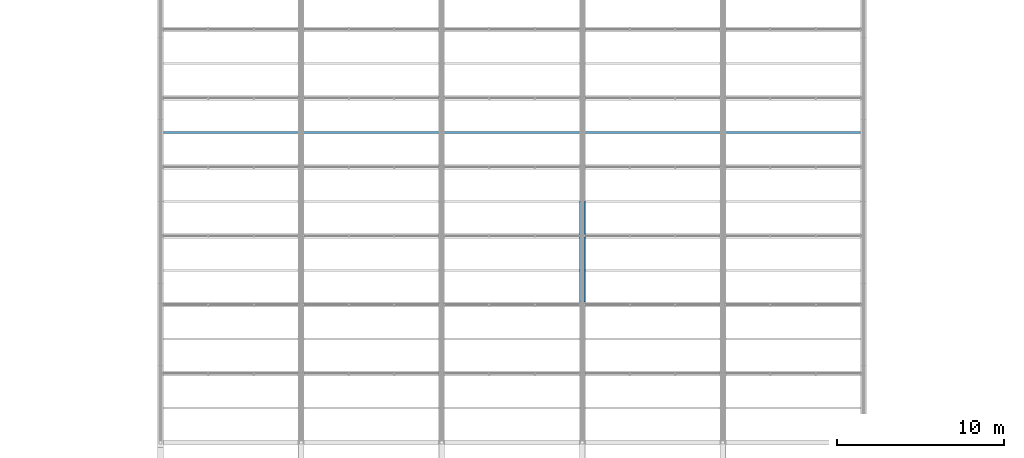
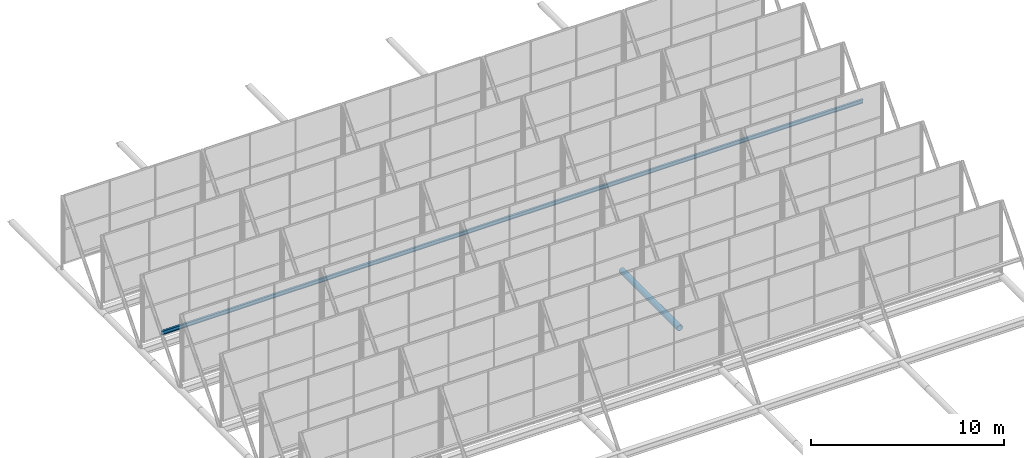
# One storey, part 27 of 77: 1 beam, 1 member.
"""IFC4 building model written with IfcOpenShell, lengths in metres."""

from ifc_helpers import new_model, si_unit, derived_unit, direction, frame, origin, origin_2d, place, context, subcontext, project, spatial, hollow_circle, i_section, extrude, material, material_profile, profile_set, type_object, element, save


model = new_model("IFC4")

# Units and contexts
model_context = context("Model", 3, precision=1e-05, world=origin(), true_north=direction((0.0, 1.0)))
body_context = subcontext(model_context, "Body", "Model", "MODEL_VIEW")
ifc_project = project(units=[si_unit("LENGTHUNIT", "METRE"), si_unit("AREAUNIT", "SQUARE_METRE"), si_unit("VOLUMEUNIT", "CUBIC_METRE"), si_unit("PLANEANGLEUNIT", "RADIAN"), si_unit("MASSUNIT", "GRAM", prefix="KILO"), derived_unit("THERMALTRANSMITTANCEUNIT", [(si_unit("MASSUNIT", "GRAM", prefix="KILO"), 1), (si_unit("TIMEUNIT", "SECOND"), -3), (si_unit("THERMODYNAMICTEMPERATUREUNIT", "KELVIN"), -1)])], contexts=[model_context])

# Site, building, storey
site_placement = place(None, origin())
site = spatial("IfcSite", under=ifc_project, at=site_placement, CompositionType="ELEMENT")
building_placement = place(site_placement, origin())
building = spatial("IfcBuilding", under=site, at=building_placement, Name="Kharveza Railside Sports Centre", CompositionType="ELEMENT")
storey_placement = place(building_placement, frame((0.0, 0.0, 17.10009765625)))
storey = spatial("IfcBuildingStorey", under=building, at=storey_placement, Name="L04", CompositionType="ELEMENT", Elevation=17.10009765625)

# Beam
ifc_material_1 = material(Name="Steel S275JR", Category="steel")
ifc_material_profile_1 = material_profile(ifc_material_1, i_section(OverallWidth=0.1201171875, OverallDepth=0.239990234375, WebThickness=0.006103515625, FlangeThickness=0.009765625, FilletRadius=0.014892578125, at=origin_2d()), Name="IPE 240")
ifc_profile_set_1 = profile_set([ifc_material_profile_1], Name="Steel S275JR")
beam_type = type_object("IfcBeamType", Name="BM-J01", PredefinedType="JOIST", material=ifc_profile_set_1)
beam_placement = place(storey_placement, frame((33.60009765625, 54.51416015625, 1.31982421875), z_axis=(1.0, 0.0, 0.0), x_axis=(0.0, 1.0, 0.0)))
element("IfcBeam", 1, at=beam_placement, inside=storey, type_object=beam_type, Name="BM-V1SAW-PUR-5", PredefinedType="JOIST", context=body_context, shape_type="SweptSolid", body=[
    extrude(i_section(OverallWidth=0.1201171875, OverallDepth=0.239990234375, WebThickness=0.006103515625, FlangeThickness=0.009765625, FilletRadius=0.014892578125, at=origin_2d()), origin(), (0.0, 0.0, 1.0), 42.0),
])

# Member
ifc_material_2 = material(Name="Steel S355J2", Category="steel")
ifc_material_profile_2 = material_profile(ifc_material_2, hollow_circle(Radius=0.177734375, WallThickness=0.01611328125, at=origin_2d()), Name="CHS 355.6x16.0")
ifc_profile_set_2 = profile_set([ifc_material_profile_2], Name="Steel S355J2")
member_type = type_object("IfcMemberType", Name="MB-CH01", PredefinedType="CHORD", material=ifc_profile_set_2)
member_placement = place(storey_placement, frame((58.800048828125, 44.390380859375, -1.050048828125), z_axis=(0.0, 1.0, 0.0), x_axis=(-1.0, 0.0, 0.0)))
element("IfcMember", 2, at=member_placement, inside=storey, type_object=member_type, Name="MB-V1TR-TC-4-4", PredefinedType="CHORD", context=body_context, shape_type="SweptSolid", body=[
    extrude(hollow_circle(Radius=0.177734375, WallThickness=0.01611328125, at=origin_2d()), origin(), (0.0, 0.0, 1.0), 6.009521484375),
])

save(model, "model.ifc")
